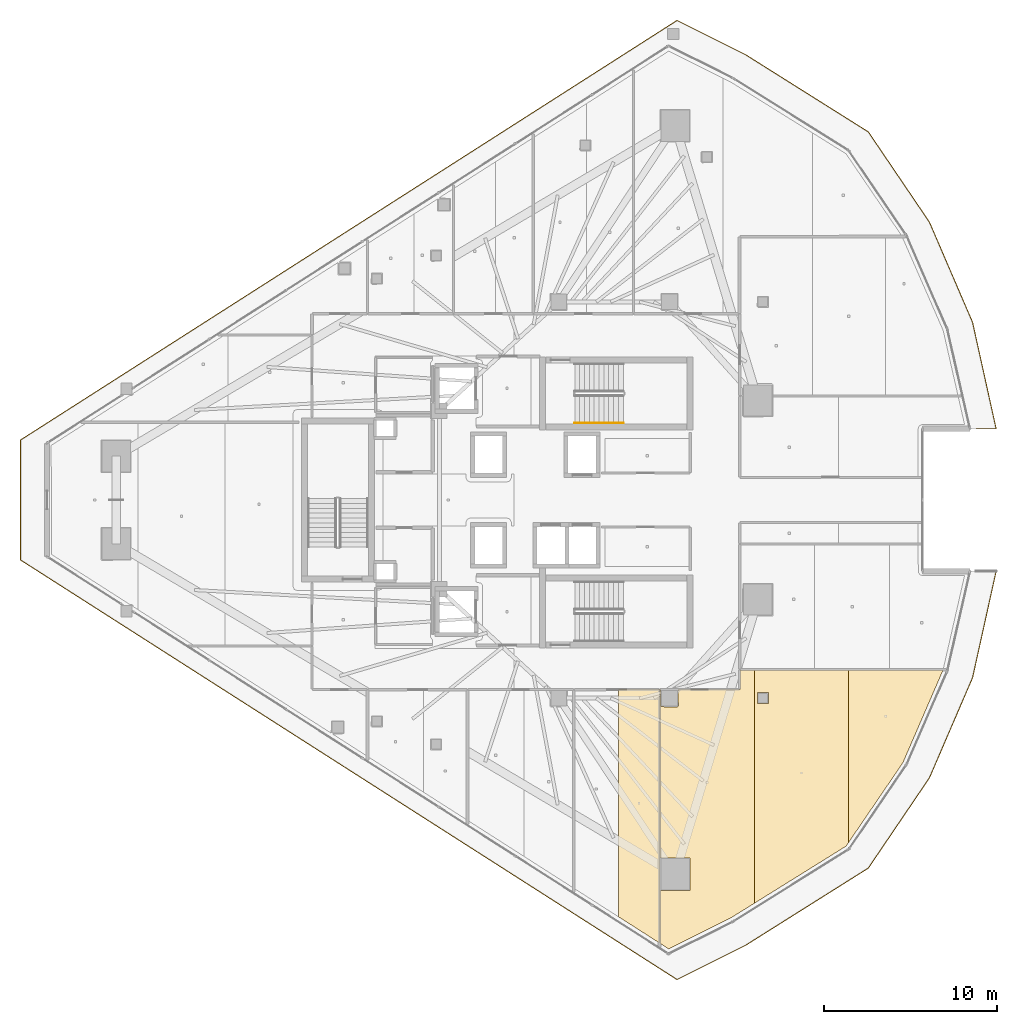
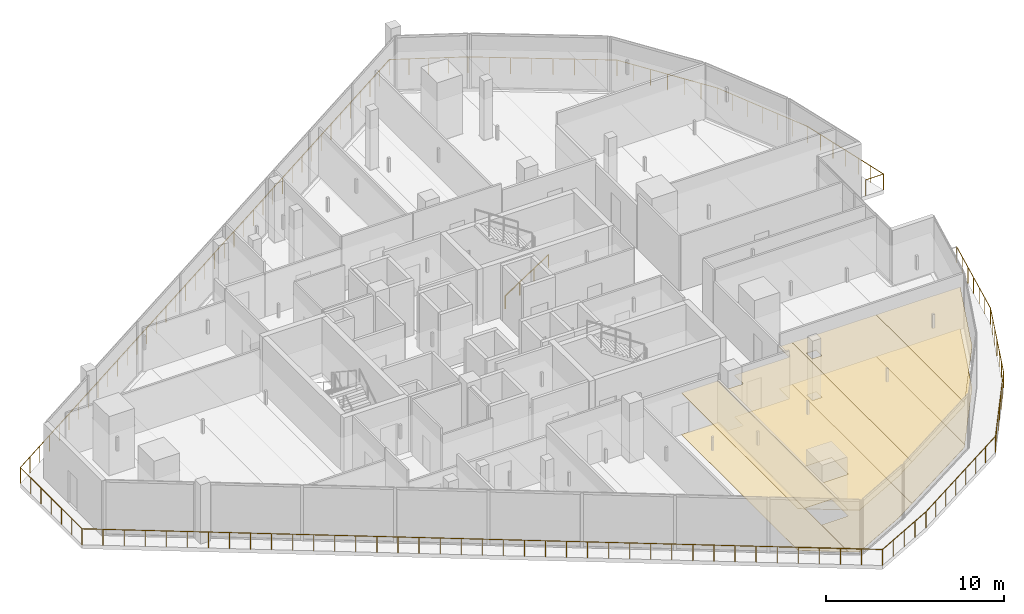
# One storey, part 30 of 33: 8 coverings, 2 railings.
"""IFC4 building model written with IfcOpenShell, lengths in metres."""

from ifc_helpers import new_model, si_unit, direction, frame, origin, origin_2d, place, context, subcontext, project, spatial, polyline, circle, outline, extrude, material, layer, layer_set, type_object, element, save


model = new_model("IFC4")

# Units and contexts
model_context = context("Model", 3, precision=1e-05, world=origin(), true_north=direction((0.0, 1.0)))
body_context = subcontext(model_context, "Body", "Model", "MODEL_VIEW")
ifc_project = project(units=[si_unit("LENGTHUNIT", "METRE"), si_unit("AREAUNIT", "SQUARE_METRE"), si_unit("VOLUMEUNIT", "CUBIC_METRE"), si_unit("PLANEANGLEUNIT", "RADIAN"), si_unit("MASSUNIT", "GRAM", prefix="KILO")], contexts=[model_context])

# Site, building, storey
site_placement = place(None, origin())
site = spatial("IfcSite", under=ifc_project, at=site_placement, CompositionType="ELEMENT")
building_placement = place(site_placement, origin())
building = spatial("IfcBuilding", under=site, at=building_placement, Name="Qorvath Tower", CompositionType="ELEMENT")
storey_placement = place(building_placement, frame((0.0, 0.0, 237.449951171875)))
storey = spatial("IfcBuildingStorey", under=building, at=storey_placement, Name="L55", CompositionType="ELEMENT", Elevation=237.449951171875)

# Coverings
ifc_material_1 = material(Name="Acoustic mineral fibre ceiling tile", Category="gypsum")
ifc_layer_1 = layer(ifc_material_1, 0.030029296875)
ifc_layer_set_1 = layer_set([ifc_layer_1], Name="COV-CEIL")
covering_type_1 = type_object("IfcCoveringType", Name="COV-CEIL", PredefinedType="CEILING", material=ifc_layer_set_1)
covering_1_placement = place(storey_placement, frame((0.0, 0.0, 2.85009765625)))
element("IfcCovering", 1, at=covering_1_placement, inside=storey, type_object=covering_type_1, Name="L55 Suspended Acoustic Ceiling 026", PredefinedType="CEILING", context=body_context, shape_type="SweptSolid", body=[
    extrude(outline(polyline([(-20.14794921875, -10.962890625), (-20.14794921875, -24.078857421875), (-17.775390625, -25.595458984375), (-17.775390625, -10.962890625), (-20.14794921875, -10.962890625)])), origin(), (0.0, 0.0, 1.0), 0.030029296875),
])
covering_2_placement = place(storey_placement, frame((0.0, 0.0, 2.85009765625)))
element("IfcCovering", 2, at=covering_2_placement, inside=storey, type_object=covering_type_1, Name="L55 Suspended Acoustic Ceiling 027", PredefinedType="CEILING", context=body_context, shape_type="SweptSolid", body=[
    extrude(outline(polyline([(-17.241455078125, -25.9365234375), (-13.634765625, -24.133056640625), (-12.301513671875, -23.30322265625), (-12.301513671875, -9.81103515625), (-13.136962890625, -9.810791015625), (-13.138427734375, -10.96142578125), (-16.705322265625, -10.962890625), (-16.68994140625, -11.89990234375), (-16.75, -11.9599609375), (-17.6923828125, -11.9423828125), (-17.694580078125, -10.962890625), (-17.75732421875, -10.962890625), (-17.75732421875, -25.60693359375), (-17.241455078125, -25.9365234375)]), holes=[polyline([(-17.739013671875, -22.569580078125), (-17.739013671875, -20.6845703125), (-16.00439453125, -20.6845703125), (-16.00439453125, -22.569580078125), (-17.739013671875, -22.569580078125)])]), origin(), (0.0, 0.0, 1.0), 0.030029296875),
])
covering_3_placement = place(storey_placement, frame((0.0, 0.0, 2.85009765625)))
element("IfcCovering", 3, at=covering_3_placement, inside=storey, type_object=covering_type_1, Name="L55 Suspended Acoustic Ceiling 028", PredefinedType="CEILING", context=body_context, shape_type="SweptSolid", body=[
    extrude(outline(polyline([(-12.301513671875, -9.81103515625), (-12.301513671875, -23.30322265625), (-6.996826171875, -20.001220703125), (-6.845703125, -19.779296875), (-6.845703125, -9.81298828125), (-12.301513671875, -9.81103515625)]), holes=[polyline([(-12.117431640625, -11.767333984375), (-12.117431640625, -11.132568359375), (-11.482666015625, -11.132568359375), (-11.482666015625, -11.767333984375), (-12.117431640625, -11.767333984375)])]), origin(), (0.0, 0.0, 1.0), 0.030029296875),
])
covering_4_placement = place(storey_placement, frame((0.0, 0.0, 2.85009765625)))
element("IfcCovering", 4, at=covering_4_placement, inside=storey, type_object=covering_type_1, Name="L55 Suspended Acoustic Ceiling 029", PredefinedType="CEILING", context=body_context, shape_type="SweptSolid", body=[
    extrude(outline(polyline([(-6.845703125, -9.81298828125), (-6.845703125, -19.779296875), (-3.711669921875, -15.1787109375), (-1.389892578125, -9.815185546875), (-6.845703125, -9.81298828125)])), origin(), (0.0, 0.0, 1.0), 0.030029296875),
])
ifc_material_2 = material(Name="Low-VOC modular carpet tile", Category="textile")
ifc_layer_2 = layer(ifc_material_2, 0.014892578125)
ifc_layer_set_2 = layer_set([ifc_layer_2], Name="COV-FLOOR-CPT")
covering_type_2 = type_object("IfcCoveringType", Name="COV-FLOOR-CPT", PredefinedType="FLOORING", material=ifc_layer_set_2)
covering_5_placement = place(storey_placement, origin())
element("IfcCovering", 5, at=covering_5_placement, inside=storey, type_object=covering_type_2, Name="L55 Floor Finish 026", PredefinedType="FLOORING", context=body_context, shape_type="SweptSolid", body=[
    extrude(outline(polyline([(-20.14794921875, -10.962890625), (-20.14794921875, -24.078857421875), (-17.775390625, -25.595458984375), (-17.775390625, -10.962890625), (-20.14794921875, -10.962890625)])), origin(), (0.0, 0.0, 1.0), 0.01513671875),
])
covering_6_placement = place(storey_placement, origin())
element("IfcCovering", 6, at=covering_6_placement, inside=storey, type_object=covering_type_2, Name="L55 Floor Finish 027", PredefinedType="FLOORING", context=body_context, shape_type="SweptSolid", body=[
    extrude(outline(polyline([(-17.241455078125, -25.9365234375), (-13.634765625, -24.133056640625), (-12.301513671875, -23.30322265625), (-12.301513671875, -9.81103515625), (-13.136962890625, -9.810791015625), (-13.138427734375, -10.96142578125), (-16.705322265625, -10.962890625), (-16.68994140625, -11.89990234375), (-16.75, -11.9599609375), (-17.6923828125, -11.9423828125), (-17.694580078125, -10.962890625), (-17.75732421875, -10.962890625), (-17.75732421875, -25.60693359375), (-17.241455078125, -25.9365234375)]), holes=[polyline([(-17.739013671875, -22.569580078125), (-17.739013671875, -20.6845703125), (-16.00439453125, -20.6845703125), (-16.00439453125, -22.569580078125), (-17.739013671875, -22.569580078125)])]), origin(), (0.0, 0.0, 1.0), 0.01513671875),
])
covering_7_placement = place(storey_placement, origin())
element("IfcCovering", 7, at=covering_7_placement, inside=storey, type_object=covering_type_2, Name="L55 Floor Finish 028", PredefinedType="FLOORING", context=body_context, shape_type="SweptSolid", body=[
    extrude(outline(polyline([(-12.301513671875, -9.81103515625), (-12.301513671875, -23.30322265625), (-6.996826171875, -20.001220703125), (-6.845703125, -19.779296875), (-6.845703125, -9.81298828125), (-12.301513671875, -9.81103515625)]), holes=[polyline([(-12.117431640625, -11.767333984375), (-12.117431640625, -11.132568359375), (-11.482666015625, -11.132568359375), (-11.482666015625, -11.767333984375), (-12.117431640625, -11.767333984375)])]), origin(), (0.0, 0.0, 1.0), 0.01513671875),
])
covering_8_placement = place(storey_placement, origin())
element("IfcCovering", 8, at=covering_8_placement, inside=storey, type_object=covering_type_2, Name="L55 Floor Finish 029", PredefinedType="FLOORING", context=body_context, shape_type="SweptSolid", body=[
    extrude(outline(polyline([(-6.845703125, -9.81298828125), (-6.845703125, -19.779296875), (-3.711669921875, -15.1787109375), (-1.389892578125, -9.815185546875), (-6.845703125, -9.81298828125)])), origin(), (0.0, 0.0, 1.0), 0.01513671875),
])

# Railings
ifc_material_3 = material(Name="Laminated safety glass and stainless steel AISI 316", Category="steel")
railing_type_1 = type_object("IfcRailingType", Name="RL-EXT-GRD", PredefinedType="GUARDRAIL", material=ifc_material_3)
railing_1_placement = place(storey_placement, frame((1.676513671875, -4.11474609375, 0.0)))
element("IfcRailing", 9, at=railing_1_placement, inside=storey, type_object=railing_type_1, Name="Loggia Perimeter Guardrail L55-1.1", PredefinedType="GUARDRAIL", context=body_context, shape_type="SweptSolid", body=[
    extrude(circle(Radius=0.02392578125, at=origin_2d()), frame((0.0, 0.0, 1.09619140625), z_axis=(-0.216118110826, -0.976367227109, 0.0), x_axis=(0.976367227109, -0.216118110826, 0.0)), (0.0, 0.0, 1.0), 6.30126953125),
    extrude(circle(Radius=0.02392578125, at=origin_2d()), frame((-1.36181640625, -6.15234375, 1.09619140625), z_axis=(-0.395480595166, -0.918474332166, 0.0), x_axis=(0.918474332166, -0.395480595166, 0.0)), (0.0, 0.0, 1.0), 6.301025390625),
    extrude(circle(Radius=0.02392578125, at=origin_2d()), frame((-3.853759765625, -11.939697265625, 1.09619140625), z_axis=(-0.560819015743, -0.827938422578, 0.0), x_axis=(0.827938422578, -0.560819015743, 0.0)), (0.0, 0.0, 1.0), 6.301025390625),
    extrude(circle(Radius=0.02392578125, at=origin_2d()), frame((-7.387451171875, -17.156494140625, 1.09619140625), z_axis=(-0.846490615346, -0.53240364211, 0.0), x_axis=(0.53240364211, -0.846490615346, 0.0)), (0.0, 0.0, 1.0), 8.37939453125),
    extrude(circle(Radius=0.02392578125, at=origin_2d()), frame((-14.48046875, -21.61767578125, 1.09619140625), z_axis=(-0.89443822296, -0.4471915309, 0.0), x_axis=(0.4471915309, -0.89443822296, 0.0)), (0.0, 0.0, 1.0), 4.426025390625),
    extrude(circle(Radius=0.02392578125, at=origin_2d()), frame((-18.439208984375, -23.596923828125, 1.09619140625), z_axis=(-0.842606250053, 0.538530135992, 0.0), x_axis=(-0.538530135992, -0.842606250053, 0.0)), (0.0, 0.0, 1.0), 45.025390625),
    extrude(circle(Radius=0.02392578125, at=origin_2d()), frame((-56.3779296875, 0.650634765625, 1.09619140625), z_axis=(0.0, 1.0, 0.0), x_axis=(-1.0, 0.0, 0.0)), (0.0, 0.0, 1.0), 6.92822265625),
    extrude(circle(Radius=0.02392578125, at=origin_2d()), frame((-56.3779296875, 7.578857421875, 1.09619140625), z_axis=(0.842606250053, 0.538530135992, 0.0), x_axis=(-0.538530135992, 0.842606250053, 0.0)), (0.0, 0.0, 1.0), 45.025390625),
    extrude(circle(Radius=0.02392578125, at=origin_2d()), frame((-18.439208984375, 31.826416015625, 1.09619140625), z_axis=(0.89443822296, -0.4471915309, 0.0), x_axis=(0.4471915309, 0.89443822296, 0.0)), (0.0, 0.0, 1.0), 4.426025390625),
    extrude(circle(Radius=0.02392578125, at=origin_2d()), frame((-14.48046875, 29.84716796875, 1.09619140625), z_axis=(0.846490615346, -0.53240364211, 0.0), x_axis=(0.53240364211, 0.846490615346, 0.0)), (0.0, 0.0, 1.0), 8.37939453125),
    extrude(circle(Radius=0.02392578125, at=origin_2d()), frame((-7.387451171875, 25.385986328125, 1.09619140625), z_axis=(0.560819015743, -0.827938422578, 0.0), x_axis=(0.827938422578, 0.560819015743, 0.0)), (0.0, 0.0, 1.0), 6.301025390625),
    extrude(circle(Radius=0.02392578125, at=origin_2d()), frame((-3.853759765625, 20.169189453125, 1.09619140625), z_axis=(0.395480595166, -0.918474332166, 0.0), x_axis=(0.918474332166, 0.395480595166, 0.0)), (0.0, 0.0, 1.0), 6.301025390625),
    extrude(circle(Radius=0.02392578125, at=origin_2d()), frame((-1.36181640625, 14.3818359375, 1.09619140625), z_axis=(0.216118110826, -0.976367227109, 0.0), x_axis=(0.976367227109, 0.216118110826, 0.0)), (0.0, 0.0, 1.0), 6.30126953125),
    extrude(circle(Radius=0.02392578125, at=origin_2d()), frame((0.0, 8.2294921875, 1.09619140625), z_axis=(-1.0, 0.0, 0.0), x_axis=(0.0, -1.0, 0.0)), (0.0, 0.0, 1.0), 1.158935546875),
    extrude(circle(Radius=0.02099609375, at=origin_2d()), origin(), (0.0, 0.0, 1.0), 1.072021484375),
    extrude(circle(Radius=0.02099609375, at=origin_2d()), frame((-0.22705078125, -1.025390625, 0.0)), (0.0, 0.0, 1.0), 1.072021484375),
    extrude(circle(Radius=0.02099609375, at=origin_2d()), frame((-0.453857421875, -2.05078125, 0.0)), (0.0, 0.0, 1.0), 1.072021484375),
    extrude(circle(Radius=0.02099609375, at=origin_2d()), frame((-0.680908203125, -3.076171875, 0.0)), (0.0, 0.0, 1.0), 1.072021484375),
    extrude(circle(Radius=0.02099609375, at=origin_2d()), frame((-0.907958984375, -4.1015625, 0.0)), (0.0, 0.0, 1.0), 1.072021484375),
    extrude(circle(Radius=0.02099609375, at=origin_2d()), frame((-1.134765625, -5.126953125, 0.0)), (0.0, 0.0, 1.0), 1.072021484375),
    extrude(circle(Radius=0.02099609375, at=origin_2d()), frame((-1.36181640625, -6.15234375, 0.0)), (0.0, 0.0, 1.0), 1.072021484375),
    extrude(circle(Radius=0.02099609375, at=origin_2d()), frame((-1.777099609375, -7.116943359375, 0.0)), (0.0, 0.0, 1.0), 1.072021484375),
    extrude(circle(Radius=0.02099609375, at=origin_2d()), frame((-2.1923828125, -8.08154296875, 0.0)), (0.0, 0.0, 1.0), 1.072021484375),
    extrude(circle(Radius=0.02099609375, at=origin_2d()), frame((-2.60791015625, -9.0458984375, 0.0)), (0.0, 0.0, 1.0), 1.072021484375),
    extrude(circle(Radius=0.02099609375, at=origin_2d()), frame((-3.023193359375, -10.010498046875, 0.0)), (0.0, 0.0, 1.0), 1.072021484375),
    extrude(circle(Radius=0.02099609375, at=origin_2d()), frame((-3.4384765625, -10.97509765625, 0.0)), (0.0, 0.0, 1.0), 1.072021484375),
    extrude(circle(Radius=0.02099609375, at=origin_2d()), frame((-3.853759765625, -11.939697265625, 0.0)), (0.0, 0.0, 1.0), 1.072021484375),
    extrude(circle(Radius=0.02099609375, at=origin_2d()), frame((-4.442626953125, -12.80908203125, 0.0)), (0.0, 0.0, 1.0), 1.072021484375),
    extrude(circle(Radius=0.02099609375, at=origin_2d()), frame((-5.03173828125, -13.6787109375, 0.0)), (0.0, 0.0, 1.0), 1.072021484375),
    extrude(circle(Radius=0.02099609375, at=origin_2d()), frame((-5.62060546875, -14.548095703125, 0.0)), (0.0, 0.0, 1.0), 1.072021484375),
    extrude(circle(Radius=0.02099609375, at=origin_2d()), frame((-6.20947265625, -15.41748046875, 0.0)), (0.0, 0.0, 1.0), 1.072021484375),
    extrude(circle(Radius=0.02099609375, at=origin_2d()), frame((-6.798583984375, -16.287109375, 0.0)), (0.0, 0.0, 1.0), 1.072021484375),
    extrude(circle(Radius=0.02099609375, at=origin_2d()), frame((-7.387451171875, -17.156494140625, 0.0)), (0.0, 0.0, 1.0), 1.072021484375),
    extrude(circle(Radius=0.02099609375, at=origin_2d()), frame((-8.400634765625, -17.793701171875, 0.0)), (0.0, 0.0, 1.0), 1.072021484375),
    extrude(circle(Radius=0.02099609375, at=origin_2d()), frame((-9.4140625, -18.43115234375, 0.0)), (0.0, 0.0, 1.0), 1.072021484375),
    extrude(circle(Radius=0.02099609375, at=origin_2d()), frame((-10.42724609375, -19.068359375, 0.0)), (0.0, 0.0, 1.0), 1.072021484375),
    extrude(circle(Radius=0.02099609375, at=origin_2d()), frame((-11.440673828125, -19.705810546875, 0.0)), (0.0, 0.0, 1.0), 1.072021484375),
    extrude(circle(Radius=0.02099609375, at=origin_2d()), frame((-12.453857421875, -20.343017578125, 0.0)), (0.0, 0.0, 1.0), 1.072021484375),
    extrude(circle(Radius=0.02099609375, at=origin_2d()), frame((-13.46728515625, -20.98046875, 0.0)), (0.0, 0.0, 1.0), 1.072021484375),
    extrude(circle(Radius=0.02099609375, at=origin_2d()), frame((-14.48046875, -21.61767578125, 0.0)), (0.0, 0.0, 1.0), 1.072021484375),
    extrude(circle(Radius=0.02099609375, at=origin_2d()), frame((-15.47021484375, -22.112548828125, 0.0)), (0.0, 0.0, 1.0), 1.072021484375),
    extrude(circle(Radius=0.02099609375, at=origin_2d()), frame((-16.4599609375, -22.607421875, 0.0)), (0.0, 0.0, 1.0), 1.072021484375),
    extrude(circle(Radius=0.02099609375, at=origin_2d()), frame((-17.449462890625, -23.10205078125, 0.0)), (0.0, 0.0, 1.0), 1.072021484375),
    extrude(circle(Radius=0.02099609375, at=origin_2d()), frame((-18.439208984375, -23.596923828125, 0.0)), (0.0, 0.0, 1.0), 1.072021484375),
    extrude(circle(Radius=0.02099609375, at=origin_2d()), frame((-19.4375, -22.958740234375, 0.0)), (0.0, 0.0, 1.0), 1.072021484375),
    extrude(circle(Radius=0.02099609375, at=origin_2d()), frame((-20.43603515625, -22.32080078125, 0.0)), (0.0, 0.0, 1.0), 1.072021484375),
    extrude(circle(Radius=0.02099609375, at=origin_2d()), frame((-21.434326171875, -21.6826171875, 0.0)), (0.0, 0.0, 1.0), 1.072021484375),
    extrude(circle(Radius=0.02099609375, at=origin_2d()), frame((-22.432861328125, -21.04443359375, 0.0)), (0.0, 0.0, 1.0), 1.072021484375),
    extrude(circle(Radius=0.02099609375, at=origin_2d()), frame((-23.43115234375, -20.406494140625, 0.0)), (0.0, 0.0, 1.0), 1.072021484375),
    extrude(circle(Radius=0.02099609375, at=origin_2d()), frame((-24.429443359375, -19.768310546875, 0.0)), (0.0, 0.0, 1.0), 1.072021484375),
    extrude(circle(Radius=0.02099609375, at=origin_2d()), frame((-25.427978515625, -19.13037109375, 0.0)), (0.0, 0.0, 1.0), 1.072021484375),
    extrude(circle(Radius=0.02099609375, at=origin_2d()), frame((-26.42626953125, -18.4921875, 0.0)), (0.0, 0.0, 1.0), 1.072021484375),
    extrude(circle(Radius=0.02099609375, at=origin_2d()), frame((-27.4248046875, -17.85400390625, 0.0)), (0.0, 0.0, 1.0), 1.072021484375),
    extrude(circle(Radius=0.02099609375, at=origin_2d()), frame((-28.423095703125, -17.216064453125, 0.0)), (0.0, 0.0, 1.0), 1.072021484375),
    extrude(circle(Radius=0.02099609375, at=origin_2d()), frame((-29.42138671875, -16.577880859375, 0.0)), (0.0, 0.0, 1.0), 1.072021484375),
    extrude(circle(Radius=0.02099609375, at=origin_2d()), frame((-30.419921875, -15.939697265625, 0.0)), (0.0, 0.0, 1.0), 1.072021484375),
    extrude(circle(Radius=0.02099609375, at=origin_2d()), frame((-31.418212890625, -15.3017578125, 0.0)), (0.0, 0.0, 1.0), 1.072021484375),
    extrude(circle(Radius=0.02099609375, at=origin_2d()), frame((-32.416748046875, -14.66357421875, 0.0)), (0.0, 0.0, 1.0), 1.072021484375),
    extrude(circle(Radius=0.02099609375, at=origin_2d()), frame((-33.4150390625, -14.025634765625, 0.0)), (0.0, 0.0, 1.0), 1.072021484375),
    extrude(circle(Radius=0.02099609375, at=origin_2d()), frame((-34.413330078125, -13.387451171875, 0.0)), (0.0, 0.0, 1.0), 1.072021484375),
    extrude(circle(Radius=0.02099609375, at=origin_2d()), frame((-35.411865234375, -12.749267578125, 0.0)), (0.0, 0.0, 1.0), 1.072021484375),
    extrude(circle(Radius=0.02099609375, at=origin_2d()), frame((-36.41015625, -12.111328125, 0.0)), (0.0, 0.0, 1.0), 1.072021484375),
    extrude(circle(Radius=0.02099609375, at=origin_2d()), frame((-37.40869140625, -11.47314453125, 0.0)), (0.0, 0.0, 1.0), 1.072021484375),
    extrude(circle(Radius=0.02099609375, at=origin_2d()), frame((-38.406982421875, -10.8349609375, 0.0)), (0.0, 0.0, 1.0), 1.072021484375),
    extrude(circle(Radius=0.02099609375, at=origin_2d()), frame((-39.4052734375, -10.197021484375, 0.0)), (0.0, 0.0, 1.0), 1.072021484375),
    extrude(circle(Radius=0.02099609375, at=origin_2d()), frame((-40.40380859375, -9.558837890625, 0.0)), (0.0, 0.0, 1.0), 1.072021484375),
    extrude(circle(Radius=0.02099609375, at=origin_2d()), frame((-41.402099609375, -8.920654296875, 0.0)), (0.0, 0.0, 1.0), 1.072021484375),
    extrude(circle(Radius=0.02099609375, at=origin_2d()), frame((-42.400390625, -8.28271484375, 0.0)), (0.0, 0.0, 1.0), 1.072021484375),
    extrude(circle(Radius=0.02099609375, at=origin_2d()), frame((-43.39892578125, -7.64453125, 0.0)), (0.0, 0.0, 1.0), 1.072021484375),
    extrude(circle(Radius=0.02099609375, at=origin_2d()), frame((-44.397216796875, -7.006591796875, 0.0)), (0.0, 0.0, 1.0), 1.072021484375),
    extrude(circle(Radius=0.02099609375, at=origin_2d()), frame((-45.395751953125, -6.368408203125, 0.0)), (0.0, 0.0, 1.0), 1.072021484375),
    extrude(circle(Radius=0.02099609375, at=origin_2d()), frame((-46.39404296875, -5.730224609375, 0.0)), (0.0, 0.0, 1.0), 1.072021484375),
    extrude(circle(Radius=0.02099609375, at=origin_2d()), frame((-47.392333984375, -5.09228515625, 0.0)), (0.0, 0.0, 1.0), 1.072021484375),
    extrude(circle(Radius=0.02099609375, at=origin_2d()), frame((-48.390869140625, -4.4541015625, 0.0)), (0.0, 0.0, 1.0), 1.072021484375),
    extrude(circle(Radius=0.02099609375, at=origin_2d()), frame((-49.38916015625, -3.81591796875, 0.0)), (0.0, 0.0, 1.0), 1.072021484375),
    extrude(circle(Radius=0.02099609375, at=origin_2d()), frame((-50.3876953125, -3.177978515625, 0.0)), (0.0, 0.0, 1.0), 1.072021484375),
    extrude(circle(Radius=0.02099609375, at=origin_2d()), frame((-51.385986328125, -2.539794921875, 0.0)), (0.0, 0.0, 1.0), 1.072021484375),
    extrude(circle(Radius=0.02099609375, at=origin_2d()), frame((-52.38427734375, -1.90185546875, 0.0)), (0.0, 0.0, 1.0), 1.072021484375),
    extrude(circle(Radius=0.02099609375, at=origin_2d()), frame((-53.3828125, -1.263671875, 0.0)), (0.0, 0.0, 1.0), 1.072021484375),
    extrude(circle(Radius=0.02099609375, at=origin_2d()), frame((-54.381103515625, -0.62548828125, 0.0)), (0.0, 0.0, 1.0), 1.072021484375),
    extrude(circle(Radius=0.02099609375, at=origin_2d()), frame((-55.379638671875, 0.012451171875, 0.0)), (0.0, 0.0, 1.0), 1.072021484375),
    extrude(circle(Radius=0.02099609375, at=origin_2d()), frame((-56.3779296875, 0.650634765625, 0.0)), (0.0, 0.0, 1.0), 1.072021484375),
    extrude(circle(Radius=0.02099609375, at=origin_2d()), frame((-56.3779296875, 1.805419921875, 0.0)), (0.0, 0.0, 1.0), 1.072021484375),
    extrude(circle(Radius=0.02099609375, at=origin_2d()), frame((-56.3779296875, 2.9599609375, 0.0)), (0.0, 0.0, 1.0), 1.072021484375),
    extrude(circle(Radius=0.02099609375, at=origin_2d()), frame((-56.3779296875, 4.11474609375, 0.0)), (0.0, 0.0, 1.0), 1.072021484375),
    extrude(circle(Radius=0.02099609375, at=origin_2d()), frame((-56.3779296875, 5.26953125, 0.0)), (0.0, 0.0, 1.0), 1.072021484375),
    extrude(circle(Radius=0.02099609375, at=origin_2d()), frame((-56.3779296875, 6.424072265625, 0.0)), (0.0, 0.0, 1.0), 1.072021484375),
    extrude(circle(Radius=0.02099609375, at=origin_2d()), frame((-56.3779296875, 7.578857421875, 0.0)), (0.0, 0.0, 1.0), 1.072021484375),
    extrude(circle(Radius=0.02099609375, at=origin_2d()), frame((-55.379638671875, 8.217041015625, 0.0)), (0.0, 0.0, 1.0), 1.072021484375),
    extrude(circle(Radius=0.02099609375, at=origin_2d()), frame((-54.381103515625, 8.85498046875, 0.0)), (0.0, 0.0, 1.0), 1.072021484375),
    extrude(circle(Radius=0.02099609375, at=origin_2d()), frame((-53.3828125, 9.4931640625, 0.0)), (0.0, 0.0, 1.0), 1.072021484375),
    extrude(circle(Radius=0.02099609375, at=origin_2d()), frame((-52.38427734375, 10.13134765625, 0.0)), (0.0, 0.0, 1.0), 1.072021484375),
    extrude(circle(Radius=0.02099609375, at=origin_2d()), frame((-51.385986328125, 10.769287109375, 0.0)), (0.0, 0.0, 1.0), 1.072021484375),
    extrude(circle(Radius=0.02099609375, at=origin_2d()), frame((-50.3876953125, 11.407470703125, 0.0)), (0.0, 0.0, 1.0), 1.072021484375),
    extrude(circle(Radius=0.02099609375, at=origin_2d()), frame((-49.38916015625, 12.04541015625, 0.0)), (0.0, 0.0, 1.0), 1.072021484375),
    extrude(circle(Radius=0.02099609375, at=origin_2d()), frame((-48.390869140625, 12.68359375, 0.0)), (0.0, 0.0, 1.0), 1.072021484375),
    extrude(circle(Radius=0.02099609375, at=origin_2d()), frame((-47.392333984375, 13.32177734375, 0.0)), (0.0, 0.0, 1.0), 1.072021484375),
    extrude(circle(Radius=0.02099609375, at=origin_2d()), frame((-46.39404296875, 13.959716796875, 0.0)), (0.0, 0.0, 1.0), 1.072021484375),
    extrude(circle(Radius=0.02099609375, at=origin_2d()), frame((-45.395751953125, 14.597900390625, 0.0)), (0.0, 0.0, 1.0), 1.072021484375),
    extrude(circle(Radius=0.02099609375, at=origin_2d()), frame((-44.397216796875, 15.236083984375, 0.0)), (0.0, 0.0, 1.0), 1.072021484375),
    extrude(circle(Radius=0.02099609375, at=origin_2d()), frame((-43.39892578125, 15.8740234375, 0.0)), (0.0, 0.0, 1.0), 1.072021484375),
    extrude(circle(Radius=0.02099609375, at=origin_2d()), frame((-42.400390625, 16.51220703125, 0.0)), (0.0, 0.0, 1.0), 1.072021484375),
    extrude(circle(Radius=0.02099609375, at=origin_2d()), frame((-41.402099609375, 17.150146484375, 0.0)), (0.0, 0.0, 1.0), 1.072021484375),
    extrude(circle(Radius=0.02099609375, at=origin_2d()), frame((-40.40380859375, 17.788330078125, 0.0)), (0.0, 0.0, 1.0), 1.072021484375),
    extrude(circle(Radius=0.02099609375, at=origin_2d()), frame((-39.4052734375, 18.426513671875, 0.0)), (0.0, 0.0, 1.0), 1.072021484375),
    extrude(circle(Radius=0.02099609375, at=origin_2d()), frame((-38.406982421875, 19.064453125, 0.0)), (0.0, 0.0, 1.0), 1.072021484375),
    extrude(circle(Radius=0.02099609375, at=origin_2d()), frame((-37.40869140625, 19.70263671875, 0.0)), (0.0, 0.0, 1.0), 1.072021484375),
    extrude(circle(Radius=0.02099609375, at=origin_2d()), frame((-36.41015625, 20.3408203125, 0.0)), (0.0, 0.0, 1.0), 1.072021484375),
    extrude(circle(Radius=0.02099609375, at=origin_2d()), frame((-35.411865234375, 20.978759765625, 0.0)), (0.0, 0.0, 1.0), 1.072021484375),
    extrude(circle(Radius=0.02099609375, at=origin_2d()), frame((-34.413330078125, 21.616943359375, 0.0)), (0.0, 0.0, 1.0), 1.072021484375),
    extrude(circle(Radius=0.02099609375, at=origin_2d()), frame((-33.4150390625, 22.255126953125, 0.0)), (0.0, 0.0, 1.0), 1.072021484375),
    extrude(circle(Radius=0.02099609375, at=origin_2d()), frame((-32.416748046875, 22.89306640625, 0.0)), (0.0, 0.0, 1.0), 1.072021484375),
    extrude(circle(Radius=0.02099609375, at=origin_2d()), frame((-31.418212890625, 23.53125, 0.0)), (0.0, 0.0, 1.0), 1.072021484375),
    extrude(circle(Radius=0.02099609375, at=origin_2d()), frame((-30.419921875, 24.169189453125, 0.0)), (0.0, 0.0, 1.0), 1.072021484375),
    extrude(circle(Radius=0.02099609375, at=origin_2d()), frame((-29.42138671875, 24.807373046875, 0.0)), (0.0, 0.0, 1.0), 1.072021484375),
    extrude(circle(Radius=0.02099609375, at=origin_2d()), frame((-28.423095703125, 25.445556640625, 0.0)), (0.0, 0.0, 1.0), 1.072021484375),
    extrude(circle(Radius=0.02099609375, at=origin_2d()), frame((-27.4248046875, 26.08349609375, 0.0)), (0.0, 0.0, 1.0), 1.072021484375),
    extrude(circle(Radius=0.02099609375, at=origin_2d()), frame((-26.42626953125, 26.7216796875, 0.0)), (0.0, 0.0, 1.0), 1.072021484375),
    extrude(circle(Radius=0.02099609375, at=origin_2d()), frame((-25.427978515625, 27.35986328125, 0.0)), (0.0, 0.0, 1.0), 1.072021484375),
    extrude(circle(Radius=0.02099609375, at=origin_2d()), frame((-24.429443359375, 27.997802734375, 0.0)), (0.0, 0.0, 1.0), 1.072021484375),
    extrude(circle(Radius=0.02099609375, at=origin_2d()), frame((-23.43115234375, 28.635986328125, 0.0)), (0.0, 0.0, 1.0), 1.072021484375),
    extrude(circle(Radius=0.02099609375, at=origin_2d()), frame((-22.432861328125, 29.27392578125, 0.0)), (0.0, 0.0, 1.0), 1.072021484375),
    extrude(circle(Radius=0.02099609375, at=origin_2d()), frame((-21.434326171875, 29.912109375, 0.0)), (0.0, 0.0, 1.0), 1.072021484375),
    extrude(circle(Radius=0.02099609375, at=origin_2d()), frame((-20.43603515625, 30.55029296875, 0.0)), (0.0, 0.0, 1.0), 1.072021484375),
    extrude(circle(Radius=0.02099609375, at=origin_2d()), frame((-19.4375, 31.188232421875, 0.0)), (0.0, 0.0, 1.0), 1.072021484375),
    extrude(circle(Radius=0.02099609375, at=origin_2d()), frame((-18.439208984375, 31.826416015625, 0.0)), (0.0, 0.0, 1.0), 1.072021484375),
    extrude(circle(Radius=0.02099609375, at=origin_2d()), frame((-17.449462890625, 31.33154296875, 0.0)), (0.0, 0.0, 1.0), 1.072021484375),
    extrude(circle(Radius=0.02099609375, at=origin_2d()), frame((-16.4599609375, 30.8369140625, 0.0)), (0.0, 0.0, 1.0), 1.072021484375),
    extrude(circle(Radius=0.02099609375, at=origin_2d()), frame((-15.47021484375, 30.342041015625, 0.0)), (0.0, 0.0, 1.0), 1.072021484375),
    extrude(circle(Radius=0.02099609375, at=origin_2d()), frame((-14.48046875, 29.84716796875, 0.0)), (0.0, 0.0, 1.0), 1.072021484375),
    extrude(circle(Radius=0.02099609375, at=origin_2d()), frame((-13.46728515625, 29.2099609375, 0.0)), (0.0, 0.0, 1.0), 1.072021484375),
    extrude(circle(Radius=0.02099609375, at=origin_2d()), frame((-12.453857421875, 28.572509765625, 0.0)), (0.0, 0.0, 1.0), 1.072021484375),
    extrude(circle(Radius=0.02099609375, at=origin_2d()), frame((-11.440673828125, 27.935302734375, 0.0)), (0.0, 0.0, 1.0), 1.072021484375),
    extrude(circle(Radius=0.02099609375, at=origin_2d()), frame((-10.42724609375, 27.2978515625, 0.0)), (0.0, 0.0, 1.0), 1.072021484375),
    extrude(circle(Radius=0.02099609375, at=origin_2d()), frame((-9.4140625, 26.66064453125, 0.0)), (0.0, 0.0, 1.0), 1.072021484375),
    extrude(circle(Radius=0.02099609375, at=origin_2d()), frame((-8.400634765625, 26.023193359375, 0.0)), (0.0, 0.0, 1.0), 1.072021484375),
    extrude(circle(Radius=0.02099609375, at=origin_2d()), frame((-7.387451171875, 25.385986328125, 0.0)), (0.0, 0.0, 1.0), 1.072021484375),
    extrude(circle(Radius=0.02099609375, at=origin_2d()), frame((-6.798583984375, 24.5166015625, 0.0)), (0.0, 0.0, 1.0), 1.072021484375),
    extrude(circle(Radius=0.02099609375, at=origin_2d()), frame((-6.20947265625, 23.64697265625, 0.0)), (0.0, 0.0, 1.0), 1.072021484375),
    extrude(circle(Radius=0.02099609375, at=origin_2d()), frame((-5.62060546875, 22.777587890625, 0.0)), (0.0, 0.0, 1.0), 1.072021484375),
    extrude(circle(Radius=0.02099609375, at=origin_2d()), frame((-5.03173828125, 21.908203125, 0.0)), (0.0, 0.0, 1.0), 1.072021484375),
    extrude(circle(Radius=0.02099609375, at=origin_2d()), frame((-4.442626953125, 21.03857421875, 0.0)), (0.0, 0.0, 1.0), 1.072021484375),
    extrude(circle(Radius=0.02099609375, at=origin_2d()), frame((-3.853759765625, 20.169189453125, 0.0)), (0.0, 0.0, 1.0), 1.072021484375),
    extrude(circle(Radius=0.02099609375, at=origin_2d()), frame((-3.4384765625, 19.20458984375, 0.0)), (0.0, 0.0, 1.0), 1.072021484375),
    extrude(circle(Radius=0.02099609375, at=origin_2d()), frame((-3.023193359375, 18.239990234375, 0.0)), (0.0, 0.0, 1.0), 1.072021484375),
    extrude(circle(Radius=0.02099609375, at=origin_2d()), frame((-2.60791015625, 17.275390625, 0.0)), (0.0, 0.0, 1.0), 1.072021484375),
    extrude(circle(Radius=0.02099609375, at=origin_2d()), frame((-2.1923828125, 16.31103515625, 0.0)), (0.0, 0.0, 1.0), 1.072021484375),
    extrude(circle(Radius=0.02099609375, at=origin_2d()), frame((-1.777099609375, 15.346435546875, 0.0)), (0.0, 0.0, 1.0), 1.072021484375),
    extrude(circle(Radius=0.02099609375, at=origin_2d()), frame((-1.36181640625, 14.3818359375, 0.0)), (0.0, 0.0, 1.0), 1.072021484375),
    extrude(circle(Radius=0.02099609375, at=origin_2d()), frame((-1.134765625, 13.3564453125, 0.0)), (0.0, 0.0, 1.0), 1.072021484375),
    extrude(circle(Radius=0.02099609375, at=origin_2d()), frame((-0.907958984375, 12.3310546875, 0.0)), (0.0, 0.0, 1.0), 1.072021484375),
    extrude(circle(Radius=0.02099609375, at=origin_2d()), frame((-0.680908203125, 11.3056640625, 0.0)), (0.0, 0.0, 1.0), 1.072021484375),
    extrude(circle(Radius=0.02099609375, at=origin_2d()), frame((-0.453857421875, 10.2802734375, 0.0)), (0.0, 0.0, 1.0), 1.072021484375),
    extrude(circle(Radius=0.02099609375, at=origin_2d()), frame((-0.22705078125, 9.2548828125, 0.0)), (0.0, 0.0, 1.0), 1.072021484375),
    extrude(circle(Radius=0.02099609375, at=origin_2d()), frame((0.0, 8.2294921875, 0.0)), (0.0, 0.0, 1.0), 1.072021484375),
    extrude(circle(Radius=0.02099609375, at=origin_2d()), frame((-1.158935546875, 8.2294921875, 0.0)), (0.0, 0.0, 1.0), 1.072021484375),
])
ifc_material_4 = material(Name="Brushed stainless steel AISI 304", Category="steel")
railing_type_2 = type_object("IfcRailingType", Name="RL-STR-HND", PredefinedType="HANDRAIL", material=ifc_material_4)
railing_2_placement = place(storey_placement, frame((-22.669921875, 4.449951171875, 0.18408203125)))
element("IfcRailing", 10, at=railing_2_placement, inside=storey, type_object=railing_type_2, Name="L55 TS1 stair handrail 1", PredefinedType="HANDRAIL", context=body_context, shape_type="SweptSolid", body=[
    extrude(circle(Radius=0.02392578125, at=origin_2d()), frame((0.0, 0.0, 0.8759765625), z_axis=(0.835542071712, 0.0, 0.549426470421), x_axis=(0.0, 1.0, 0.0)), (0.0, 0.0, 1.0), 3.350830078125),
    extrude(circle(Radius=0.02099609375, at=origin_2d()), origin(), (0.0, 0.0, 1.0), 0.851806640625),
    extrude(circle(Radius=0.02099609375, at=origin_2d()), frame((0.933349609375, 0.0, 0.61376953125)), (0.0, 0.0, 1.0), 0.851806640625),
    extrude(circle(Radius=0.02099609375, at=origin_2d()), frame((1.866455078125, 0.0, 1.227294921875)), (0.0, 0.0, 1.0), 0.851806640625),
    extrude(circle(Radius=0.02099609375, at=origin_2d()), frame((2.7998046875, 0.0, 1.841064453125)), (0.0, 0.0, 1.0), 0.851806640625),
])

save(model, "model.ifc")
